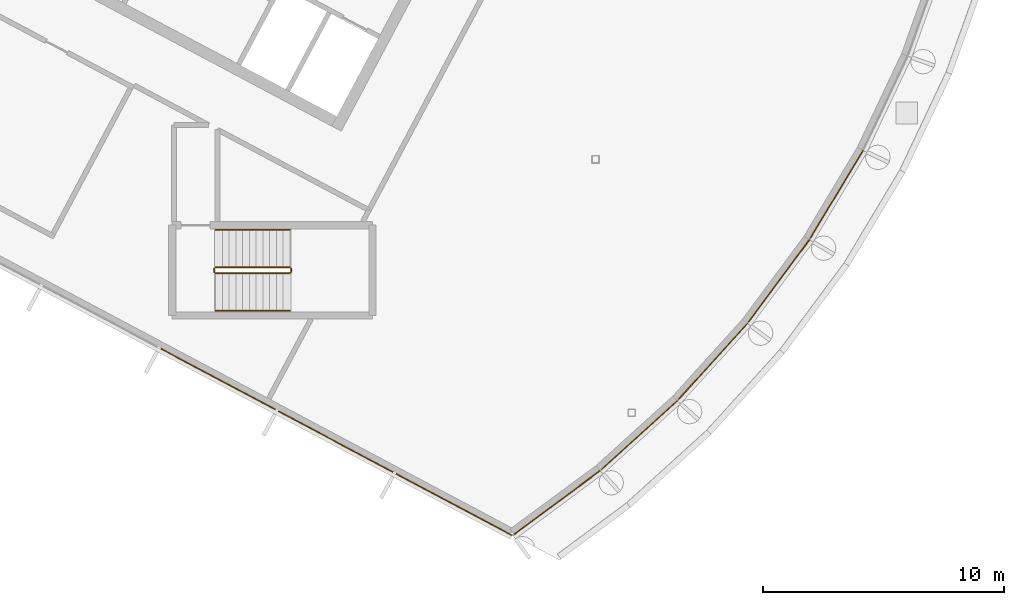
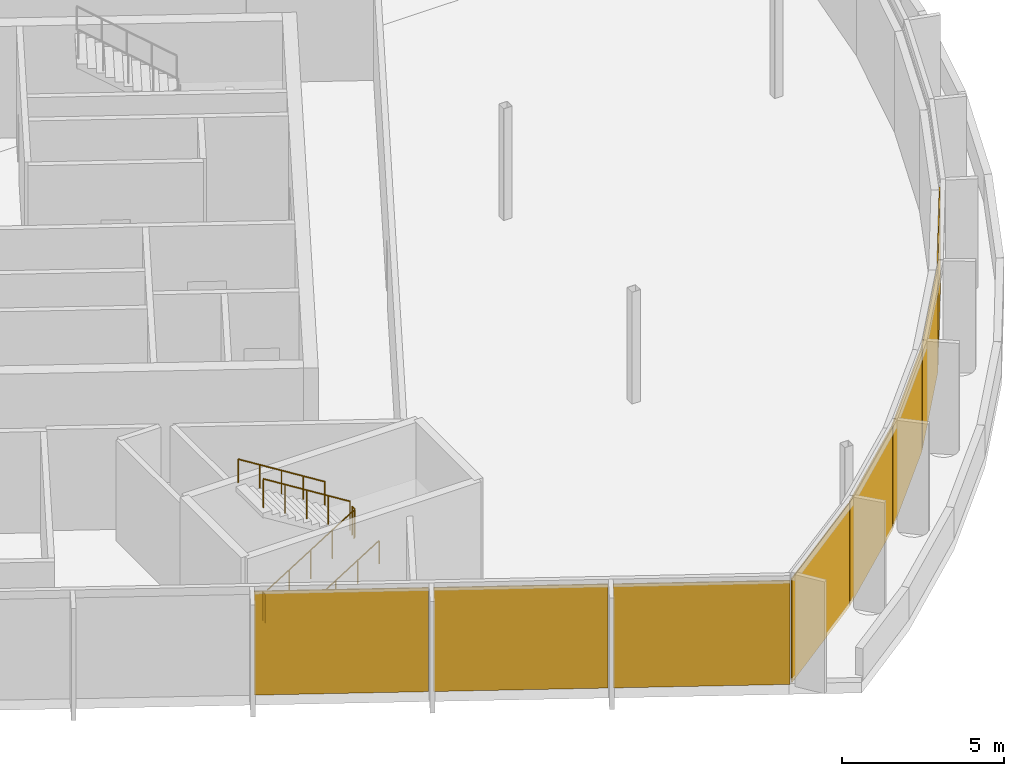
# One storey, part 12 of 15: 8 coverings, 6 railings, 6 elements without a shape of their own.
"""IFC4 building model written with IfcOpenShell, lengths in metres."""

import ifcopenshell
import ifcopenshell.guid

model = None  # the IFC model being written
_history = None  # IfcOwnerHistory: only IFC2X3 demands one
_inside = {}  # id of a spatial element -> (the spatial element, [elements in it])
_under = {}  # id of a project, library or spatial element -> (it, [spatial elements below it])
_declared = {}  # id of a project -> (the project, [libraries it declares])
_typed = {}  # id of a type object -> (the type object, [elements of that type])
_made_of = {}  # id of a material, layer set ... -> (it, [elements and type objects made of it])


def new_model(schema):
    """Start an empty IFC model of exactly this schema.

    Asked for "IFC4X3", IfcOpenShell would pick the latest addendum, in which some entities
    have other attributes; the version numbers below select the first issue.
    IFC2X3 requires an IfcOwnerHistory on every rooted entity: one is made here for all.
    """
    global model, _history
    if schema == "IFC4X3":
        model = ifcopenshell.file(schema_version=(4, 3, 0, 0))
    else:
        model = ifcopenshell.file(schema=schema)
    _inside.clear()
    _under.clear()
    _declared.clear()
    _typed.clear()
    _made_of.clear()
    _history = None
    if model.schema == "IFC2X3":
        org = make("IfcOrganization", Name="unknown")
        user = make(
            "IfcPersonAndOrganization",
            ThePerson=make("IfcPerson", FamilyName="unknown"),
            TheOrganization=org,
        )
        app = make(
            "IfcApplication",
            ApplicationDeveloper=org,
            Version="unknown",
            ApplicationFullName="unknown",
            ApplicationIdentifier="unknown",
        )
        _history = make(
            "IfcOwnerHistory",
            OwningUser=user,
            OwningApplication=app,
            ChangeAction="ADDED",
            CreationDate=0,
        )
    return model


def make(cls, **values):
    """One entity of the class cls with the attributes given. An attribute that is None is left unset."""
    return model.create_entity(
        cls, **{name: value for name, value in values.items() if value is not None}
    )


def rooted(cls, **values):
    """An entity with a GlobalId (a new one), such as an element, a storey or a relation."""
    return make(cls, GlobalId=ifcopenshell.guid.new(), OwnerHistory=_history, **values)


def si_unit(unit_type, name, prefix=None):
    """IfcSIUnit, for example si_unit("LENGTHUNIT", "METRE", prefix="MILLI")."""
    return make("IfcSIUnit", UnitType=unit_type, Prefix=prefix, Name=name)


def assignment(units):
    """IfcUnitAssignment: the units of a project."""
    return None if units is None else make("IfcUnitAssignment", Units=units)


def point(xyz):
    """IfcCartesianPoint."""
    return None if xyz is None else make("IfcCartesianPoint", Coordinates=xyz)


def direction(xyz):
    """IfcDirection."""
    return None if xyz is None else make("IfcDirection", DirectionRatios=xyz)


def frame(location, z_axis=None, x_axis=None):
    """IfcAxis2Placement3D, a coordinate frame: its origin and axes. An axis left out is left unset."""
    return make(
        "IfcAxis2Placement3D",
        Location=point(location),
        Axis=direction(z_axis),
        RefDirection=direction(x_axis),
    )


def frame_2d(location, x_axis=None):
    """IfcAxis2Placement2D, a coordinate frame in the plane: its origin and x axis."""
    return make(
        "IfcAxis2Placement2D", Location=point(location), RefDirection=direction(x_axis)
    )


def origin():
    """The frame at (0, 0, 0) with its axes left unset."""
    return frame((0.0, 0.0, 0.0))


def origin_2d():
    """The frame at (0, 0) in the plane with its x axis left unset."""
    return frame_2d((0.0, 0.0))


def place(relative_to, where):
    """IfcLocalPlacement: puts the frame where relative to a parent placement (None: the world)."""
    return make(
        "IfcLocalPlacement", PlacementRelTo=relative_to, RelativePlacement=where
    )


def context(
    kind, dimensions, precision=None, world=None, true_north=None, identifier=None
):
    """IfcGeometricRepresentationContext, for example the 3D "Model" context."""
    return make(
        "IfcGeometricRepresentationContext",
        ContextIdentifier=identifier,
        ContextType=kind,
        CoordinateSpaceDimension=dimensions,
        Precision=precision,
        WorldCoordinateSystem=world,
        TrueNorth=true_north,
    )


def subcontext(parent, identifier, kind, view, scale=None):
    """IfcGeometricRepresentationSubContext, for example "Body" below "Model"."""
    return make(
        "IfcGeometricRepresentationSubContext",
        ContextIdentifier=identifier,
        ContextType=kind,
        ParentContext=parent,
        TargetScale=scale,
        TargetView=view,
    )


def project(units=None, contexts=None):
    """IfcProject with its units and contexts."""
    return rooted(
        "IfcProject",
        Name="project",
        RepresentationContexts=contexts,
        UnitsInContext=assignment(units),
    )


def spatial(cls, under=None, at=None, **own):
    """A site, building, storey or space (cls), placed at a placement, below another one or the project."""
    s = rooted(cls, ObjectPlacement=at, **own)
    if under is not None:
        _under.setdefault(under.id(), (under, []))[1].append(s)
    return s


def polyline(points):
    """IfcPolyline through the points."""
    return make("IfcPolyline", Points=[point(p) for p in points])


def profile(cls, at=None, kind="AREA", **sizes):
    """A parametric profile (cls). Its sizes go by their IFC names, for example OverallWidth=200.0."""
    return make(cls, ProfileType=kind, Position=at, **sizes)


def rectangle(**sizes):
    """IfcRectangleProfileDef."""
    return profile("IfcRectangleProfileDef", **sizes)


def outline(outer, holes=None, kind="AREA"):
    """IfcArbitraryClosedProfileDef: a profile drawn as a closed curve; with holes, ...WithVoids."""
    if holes is None:
        return make("IfcArbitraryClosedProfileDef", ProfileType=kind, OuterCurve=outer)
    return make(
        "IfcArbitraryProfileDefWithVoids",
        ProfileType=kind,
        OuterCurve=outer,
        InnerCurves=holes,
    )


def extrude(swept, where, along, depth):
    """IfcExtrudedAreaSolid: the profile swept, set in the frame where, extruded along a direction by depth."""
    return make(
        "IfcExtrudedAreaSolid",
        SweptArea=swept,
        Position=where,
        ExtrudedDirection=direction(along),
        Depth=depth,
    )


def shape(context_of_items, identifier, shape_type, items):
    """IfcShapeRepresentation: the items that make up one representation, for example the "Body"."""
    return make(
        "IfcShapeRepresentation",
        ContextOfItems=context_of_items,
        RepresentationIdentifier=identifier,
        RepresentationType=shape_type,
        Items=items,
    )


def material(Name=None, Category=None):
    """IfcMaterial."""
    return make("IfcMaterial", Name=Name, Category=Category)


def layer(
    of_material, thickness, ventilated=None, Name=None, Category=None, Priority=None
):
    """IfcMaterialLayer: one layer of a wall or slab, of a material (None: an air gap)."""
    return make(
        "IfcMaterialLayer",
        Material=of_material,
        LayerThickness=thickness,
        IsVentilated=ventilated,
        Name=Name,
        Category=Category,
        Priority=Priority,
    )


def layer_set(layers, Name=None):
    """IfcMaterialLayerSet."""
    return make("IfcMaterialLayerSet", MaterialLayers=layers, LayerSetName=Name)


def made_of(thing, what):
    """Note that an element or type object is made of a material, layer set ...; save() writes the relation."""
    if what is not None:
        _made_of.setdefault(what.id(), (what, []))[1].append(thing)
    return thing


def type_object(cls, material=None, **own):
    """A type object (cls), such as IfcWallType, which elements share."""
    return made_of(rooted(cls, **own), material)


def element(
    cls,
    number,
    at=None,
    inside=None,
    cuts=None,
    type_object=None,
    material=None,
    context=None,
    identifier="Body",
    shape_type=None,
    held_by="IfcProductDefinitionShape",
    body=None,
    shapes=None,
    **own,
):
    """One element of the class cls, such as IfcWall. Its Tag is "e" and its number.

    at: its placement. inside: the storey or other place that contains it. cuts: it is an
    opening in that element (IfcRelVoidsElement). A single representation is given by context,
    identifier, shape_type and body (its items); several are given by shapes. held_by: the class
    of the entity that holds the representations. save() writes the other relations.
    """
    e = rooted(cls, Tag="e%d" % number, ObjectPlacement=at, **own)
    if body is not None:
        shapes = [shape(context, identifier, shape_type, body)]
    if shapes is not None:
        e.Representation = make(held_by, Representations=shapes)
    if inside is not None:
        _inside.setdefault(inside.id(), (inside, []))[1].append(e)
    if cuts is not None:
        rooted(
            "IfcRelVoidsElement", RelatingBuildingElement=cuts, RelatedOpeningElement=e
        )
    if type_object is not None:
        _typed.setdefault(type_object.id(), (type_object, []))[1].append(e)
    return made_of(e, material)


def aggregate(whole, parts):
    """IfcRelAggregates: a whole, such as a stair, and the parts it consists of."""
    return rooted("IfcRelAggregates", RelatingObject=whole, RelatedObjects=parts)


def save(model, path):
    """Write the relations noted so far, then the file.

    IfcRelAggregates (storeys below a building ...), IfcRelContainedInSpatialStructure (elements
    in a storey), IfcRelDefinesByType, IfcRelAssociatesMaterial and IfcRelDeclares: one each for
    every whole, place, type object, material and project.
    """
    for whole, parts in _under.values():
        aggregate(whole, parts)
    for where, things in _inside.values():
        rooted(
            "IfcRelContainedInSpatialStructure",
            RelatedElements=things,
            RelatingStructure=where,
        )
    for kind, things in _typed.values():
        rooted("IfcRelDefinesByType", RelatedObjects=things, RelatingType=kind)
    for what, things in _made_of.values():
        rooted("IfcRelAssociatesMaterial", RelatedObjects=things, RelatingMaterial=what)
    for by, libraries in _declared.values():
        rooted("IfcRelDeclares", RelatingContext=by, RelatedDefinitions=libraries)
    model.write(path)


model = new_model("IFC4")

# Units and contexts
model_context = context("Model", 3, precision=1e-05, world=origin(), true_north=direction((0.0, 1.0)))
body_context = subcontext(model_context, "Body", "Model", "MODEL_VIEW")
ifc_project = project(units=[si_unit("LENGTHUNIT", "METRE"), si_unit("AREAUNIT", "SQUARE_METRE"), si_unit("VOLUMEUNIT", "CUBIC_METRE"), si_unit("PLANEANGLEUNIT", "RADIAN"), si_unit("MASSUNIT", "GRAM", prefix="KILO")], contexts=[model_context])

# Site, building, storey
site_placement = place(None, origin())
site = spatial("IfcSite", under=ifc_project, at=site_placement, CompositionType="ELEMENT")
building_placement = place(site_placement, origin())
building = spatial("IfcBuilding", under=site, at=building_placement, Name="Cormorant Relay Tower", CompositionType="ELEMENT")
storey_placement = place(building_placement, frame((0.0, 0.0, 332.39990234375)))
storey = spatial("IfcBuildingStorey", under=building, at=storey_placement, Name="C2", CompositionType="ELEMENT", Elevation=332.39990234375)

# Curtain wall, coverings
ifc_material_1 = material(Name="Aluminium 6063-T6 anodised bronze", Category="aluminium")
ifc_layer_1 = layer(ifc_material_1, 0.199951171875)
ifc_layer_set_1 = layer_set([ifc_layer_1], Name="CW3 crown screen wall")
curtain_wall_type = type_object("IfcCurtainWallType", Name="CW3 crown screen wall", PredefinedType="NOTDEFINED", material=ifc_layer_set_1)
curtain_wall_1_placement = place(storey_placement, origin())
curtain_wall_1 = element("IfcCurtainWall", 1, at=curtain_wall_1_placement, inside=storey, type_object=curtain_wall_type, Name="CW3 curtain wall 1", PredefinedType="NOTDEFINED")
ifc_material_2 = material(Name="Perforated bronze anodised aluminium screen", Category="aluminium")
ifc_layer_2 = layer(ifc_material_2, 0.0400390625)
ifc_layer_set_2 = layer_set([ifc_layer_2], Name="CW3 perforated bronze screen panel 40")
covering_type = type_object("IfcCoveringType", Name="CW3 perforated bronze screen panel 40", PredefinedType="CLADDING", material=ifc_layer_set_2)
covering_1_placement = place(storey_placement, frame((-27.647705078125, -9.10595703125, 0.000244140625), z_axis=(0.0, 0.0, 1.0), x_axis=(0.882947592859, -0.469471562786, 0.0)))
covering_1 = element("IfcCovering", 2, at=covering_1_placement, type_object=covering_type, Name="CW3 panel X04", PredefinedType="CLADDING", context=body_context, shape_type="SweptSolid", body=[
    extrude(rectangle(XDim=5.375244140625, YDim=0.0400390625, at=origin_2d()), origin(), (0.0, 0.0, 1.0), 3.89990234375),
])
covering_2_placement = place(storey_placement, frame((-22.769287109375, -11.699951171875, 0.000244140625), z_axis=(0.0, 0.0, 1.0), x_axis=(0.882947592859, -0.469471562786, 0.0)))
covering_2 = element("IfcCovering", 3, at=covering_2_placement, type_object=covering_type, Name="CW3 panel X05", PredefinedType="CLADDING", context=body_context, shape_type="SweptSolid", body=[
    extrude(rectangle(XDim=5.375244140625, YDim=0.0400390625, at=origin_2d()), origin(), (0.0, 0.0, 1.0), 3.89990234375),
])
covering_3_placement = place(storey_placement, frame((-17.85791015625, -14.3115234375, 0.000244140625), z_axis=(0.0, 0.0, 1.0), x_axis=(0.882947592859, -0.469471562786, 0.0)))
covering_3 = element("IfcCovering", 4, at=covering_3_placement, type_object=covering_type, Name="CW3 panel X06", PredefinedType="CLADDING", context=body_context, shape_type="SweptSolid", body=[
    extrude(rectangle(XDim=5.4501953125, YDim=0.0400390625, at=origin_2d()), origin(), (0.0, 0.0, 1.0), 3.89990234375),
])
aggregate(curtain_wall_1, [covering_1, covering_2, covering_3])

# Curtain wall, covering
curtain_wall_2_placement = place(storey_placement, origin())
curtain_wall_2 = element("IfcCurtainWall", 5, at=curtain_wall_2_placement, inside=storey, type_object=curtain_wall_type, Name="CW3 curtain wall 2", PredefinedType="NOTDEFINED")
covering_4_placement = place(storey_placement, frame((-13.5888671875, -14.223388671875, 0.000244140625), z_axis=(0.0, 0.0, 1.0), x_axis=(0.803207531481, 0.595699304492, 0.0)))
covering_4 = element("IfcCovering", 6, at=covering_4_placement, type_object=covering_type, Name="CW3 panel X00", PredefinedType="CLADDING", context=body_context, shape_type="SweptSolid", body=[
    extrude(rectangle(XDim=4.435546875, YDim=0.0400390625, at=origin_2d()), origin(), (0.0, 0.0, 1.0), 3.89990234375),
])
aggregate(curtain_wall_2, [covering_4])

curtain_wall_3_placement = place(storey_placement, origin())
curtain_wall_3 = element("IfcCurtainWall", 7, at=curtain_wall_3_placement, inside=storey, type_object=curtain_wall_type, Name="CW3 curtain wall 3", PredefinedType="NOTDEFINED")
covering_5_placement = place(storey_placement, frame((-10.178466796875, -11.426025390625, 0.000244140625), z_axis=(0.0, 0.0, 1.0), x_axis=(0.740951125355, 0.671558954847, 0.0)))
covering_5 = element("IfcCovering", 8, at=covering_5_placement, type_object=covering_type, Name="CW3 panel X00", PredefinedType="CLADDING", context=body_context, shape_type="SweptSolid", body=[
    extrude(rectangle(XDim=4.242919921875, YDim=0.0400390625, at=origin_2d()), origin(), (0.0, 0.0, 1.0), 3.89990234375),
])
aggregate(curtain_wall_3, [covering_5])

curtain_wall_4_placement = place(storey_placement, origin())
curtain_wall_4 = element("IfcCurtainWall", 9, at=curtain_wall_4_placement, inside=storey, type_object=curtain_wall_type, Name="CW3 curtain wall 4", PredefinedType="NOTDEFINED")
covering_6_placement = place(storey_placement, frame((-7.130126953125, -8.372314453125, 0.000244140625), z_axis=(0.0, 0.0, 1.0), x_axis=(0.671558954847, 0.740951125355, 0.0)))
covering_6 = element("IfcCovering", 10, at=covering_6_placement, type_object=covering_type, Name="CW3 panel X00", PredefinedType="CLADDING", context=body_context, shape_type="SweptSolid", body=[
    extrude(rectangle(XDim=4.242919921875, YDim=0.0400390625, at=origin_2d()), origin(), (0.0, 0.0, 1.0), 3.89990234375),
])
aggregate(curtain_wall_4, [covering_6])

curtain_wall_5_placement = place(storey_placement, origin())
curtain_wall_5 = element("IfcCurtainWall", 11, at=curtain_wall_5_placement, inside=storey, type_object=curtain_wall_type, Name="CW3 curtain wall 5", PredefinedType="NOTDEFINED")
covering_7_placement = place(storey_placement, frame((-4.395751953125, -5.034912109375, 0.000244140625), z_axis=(0.0, 0.0, 1.0), x_axis=(0.595699304492, 0.803207531481, 0.0)))
covering_7 = element("IfcCovering", 12, at=covering_7_placement, type_object=covering_type, Name="CW3 panel X00", PredefinedType="CLADDING", context=body_context, shape_type="SweptSolid", body=[
    extrude(rectangle(XDim=4.242919921875, YDim=0.0400390625, at=origin_2d()), origin(), (0.0, 0.0, 1.0), 3.89990234375),
])
aggregate(curtain_wall_5, [covering_7])

curtain_wall_6_placement = place(storey_placement, origin())
curtain_wall_6 = element("IfcCurtainWall", 13, at=curtain_wall_6_placement, inside=storey, type_object=curtain_wall_type, Name="CW3 curtain wall 6", PredefinedType="NOTDEFINED")
covering_8_placement = place(storey_placement, frame((-2.001708984375, -1.4453125, 0.000244140625), z_axis=(0.0, 0.0, 1.0), x_axis=(0.514102744193, 0.85772861, 0.0)))
covering_8 = element("IfcCovering", 14, at=covering_8_placement, type_object=covering_type, Name="CW3 panel X00", PredefinedType="CLADDING", context=body_context, shape_type="SweptSolid", body=[
    extrude(rectangle(XDim=4.242919921875, YDim=0.0400390625, at=origin_2d()), origin(), (0.0, 0.0, 1.0), 3.89990234375),
])
aggregate(curtain_wall_6, [covering_8])

# Railings
ifc_material_3 = material(Name="Steel ASTM A572 Grade 50 (Fy 345 MPa)", Category="steel")
railing_type_1 = type_object("IfcRailingType", Name="Stair guard 1100", PredefinedType="GUARDRAIL", material=ifc_material_3)
railing_1_placement = place(storey_placement, frame((-27.75, -4.72509765625, 0.175048828125)))
element("IfcRailing", 15, at=railing_1_placement, inside=storey, type_object=railing_type_1, Name="C2 RC1 stair guard 1", PredefinedType="GUARDRAIL", context=body_context, shape_type="SweptSolid", body=[
    extrude(outline(polyline([(0.022216796875, 0.00927734375), (0.00927734375, 0.022216796875), (-0.00927734375, 0.022216796875), (-0.022216796875, 0.00927734375), (-0.022216796875, -0.00927734375), (-0.00927734375, -0.022216796875), (0.00927734375, -0.022216796875), (0.022216796875, -0.00927734375), (0.022216796875, 0.00927734375)])), frame((0.0, 0.0, 1.076171875), z_axis=(0.847998304005, 0.0, 0.529998940003), x_axis=(0.0, 1.0, 0.0)), (0.0, 0.0, 1.0), 3.632080078125),
    extrude(outline(polyline([(0.019287109375, 0.008056640625), (0.008056640625, 0.019287109375), (-0.008056640625, 0.019287109375), (-0.019287109375, 0.008056640625), (-0.019287109375, -0.008056640625), (-0.008056640625, -0.019287109375), (0.008056640625, -0.019287109375), (0.019287109375, -0.008056640625), (0.019287109375, 0.008056640625)])), origin(), (0.0, 0.0, 1.0), 1.052001953125),
    extrude(outline(polyline([(0.019287109375, 0.008056640625), (0.008056640625, 0.019287109375), (-0.008056640625, 0.019287109375), (-0.019287109375, 0.008056640625), (-0.019287109375, -0.008056640625), (-0.008056640625, -0.019287109375), (0.008056640625, -0.019287109375), (0.019287109375, -0.008056640625), (0.019287109375, 0.008056640625)])), frame((0.77001953125, 0.0, 0.481201171875)), (0.0, 0.0, 1.0), 1.052001953125),
    extrude(outline(polyline([(0.019287109375, 0.008056640625), (0.008056640625, 0.019287109375), (-0.008056640625, 0.019287109375), (-0.019287109375, 0.008056640625), (-0.019287109375, -0.008056640625), (-0.008056640625, -0.019287109375), (0.008056640625, -0.019287109375), (0.019287109375, -0.008056640625), (0.019287109375, 0.008056640625)])), frame((1.5400390625, 0.0, 0.96240234375)), (0.0, 0.0, 1.0), 1.052001953125),
    extrude(outline(polyline([(0.019287109375, 0.008056640625), (0.008056640625, 0.019287109375), (-0.008056640625, 0.019287109375), (-0.019287109375, 0.008056640625), (-0.019287109375, -0.008056640625), (-0.008056640625, -0.019287109375), (0.008056640625, -0.019287109375), (0.019287109375, -0.008056640625), (0.019287109375, 0.008056640625)])), frame((2.31005859375, 0.0, 1.44384765625)), (0.0, 0.0, 1.0), 1.052001953125),
    extrude(outline(polyline([(0.019287109375, 0.008056640625), (0.008056640625, 0.019287109375), (-0.008056640625, 0.019287109375), (-0.019287109375, 0.008056640625), (-0.019287109375, -0.008056640625), (-0.008056640625, -0.019287109375), (0.008056640625, -0.019287109375), (0.019287109375, -0.008056640625), (0.019287109375, 0.008056640625)])), frame((3.080078125, 0.0, 1.925048828125)), (0.0, 0.0, 1.0), 1.052001953125),
])
railing_2_placement = place(storey_placement, frame((-24.6201171875, -4.675048828125, 2.10009765625)))
element("IfcRailing", 16, at=railing_2_placement, inside=storey, type_object=railing_type_1, Name="C2 RC1 stair guard 2", PredefinedType="GUARDRAIL", context=body_context, shape_type="SweptSolid", body=[
    extrude(outline(polyline([(0.022216796875, 0.00927734375), (0.00927734375, 0.022216796875), (-0.00927734375, 0.022216796875), (-0.022216796875, 0.00927734375), (-0.022216796875, -0.00927734375), (-0.00927734375, -0.022216796875), (0.00927734375, -0.022216796875), (0.022216796875, -0.00927734375), (0.022216796875, 0.00927734375)])), frame((0.0, 0.0, 1.076171875), z_axis=(0.0, 1.0, 0.0), x_axis=(-1.0, 0.0, 0.0)), (0.0, 0.0, 1.0), 0.150146484375),
    extrude(outline(polyline([(0.019287109375, 0.008056640625), (0.008056640625, 0.019287109375), (-0.008056640625, 0.019287109375), (-0.019287109375, 0.008056640625), (-0.019287109375, -0.008056640625), (-0.008056640625, -0.019287109375), (0.008056640625, -0.019287109375), (0.019287109375, -0.008056640625), (0.019287109375, 0.008056640625)])), origin(), (0.0, 0.0, 1.0), 1.052001953125),
    extrude(outline(polyline([(0.019287109375, 0.008056640625), (0.008056640625, 0.019287109375), (-0.008056640625, 0.019287109375), (-0.019287109375, 0.008056640625), (-0.019287109375, -0.008056640625), (-0.008056640625, -0.019287109375), (0.008056640625, -0.019287109375), (0.019287109375, -0.008056640625), (0.019287109375, 0.008056640625)])), frame((0.0, 0.150146484375, 0.0)), (0.0, 0.0, 1.0), 1.052001953125),
])
railing_3_placement = place(storey_placement, frame((-24.669921875, -4.47509765625, 2.275146484375)))
element("IfcRailing", 17, at=railing_3_placement, inside=storey, type_object=railing_type_1, Name="C2 RC1 stair guard 3", PredefinedType="GUARDRAIL", context=body_context, shape_type="SweptSolid", body=[
    extrude(outline(polyline([(0.022216796875, 0.00927734375), (0.00927734375, 0.022216796875), (-0.00927734375, 0.022216796875), (-0.022216796875, 0.00927734375), (-0.022216796875, -0.00927734375), (-0.00927734375, -0.022216796875), (0.00927734375, -0.022216796875), (0.022216796875, -0.00927734375), (0.022216796875, 0.00927734375)])), frame((0.0, 0.0, 1.076171875), z_axis=(-0.847998304005, 0.0, 0.529998940003), x_axis=(0.0, -1.0, 0.0)), (0.0, 0.0, 1.0), 3.632080078125),
    extrude(outline(polyline([(0.019287109375, 0.008056640625), (0.008056640625, 0.019287109375), (-0.008056640625, 0.019287109375), (-0.019287109375, 0.008056640625), (-0.019287109375, -0.008056640625), (-0.008056640625, -0.019287109375), (0.008056640625, -0.019287109375), (0.019287109375, -0.008056640625), (0.019287109375, 0.008056640625)])), origin(), (0.0, 0.0, 1.0), 1.052001953125),
    extrude(outline(polyline([(0.019287109375, 0.008056640625), (0.008056640625, 0.019287109375), (-0.008056640625, 0.019287109375), (-0.019287109375, 0.008056640625), (-0.019287109375, -0.008056640625), (-0.008056640625, -0.019287109375), (0.008056640625, -0.019287109375), (0.019287109375, -0.008056640625), (0.019287109375, 0.008056640625)])), frame((-0.77001953125, 0.0, 0.481201171875)), (0.0, 0.0, 1.0), 1.052001953125),
    extrude(outline(polyline([(0.019287109375, 0.008056640625), (0.008056640625, 0.019287109375), (-0.008056640625, 0.019287109375), (-0.019287109375, 0.008056640625), (-0.019287109375, -0.008056640625), (-0.008056640625, -0.019287109375), (0.008056640625, -0.019287109375), (0.019287109375, -0.008056640625), (0.019287109375, 0.008056640625)])), frame((-1.5400390625, 0.0, 0.96240234375)), (0.0, 0.0, 1.0), 1.052001953125),
    extrude(outline(polyline([(0.019287109375, 0.008056640625), (0.008056640625, 0.019287109375), (-0.008056640625, 0.019287109375), (-0.019287109375, 0.008056640625), (-0.019287109375, -0.008056640625), (-0.008056640625, -0.019287109375), (0.008056640625, -0.019287109375), (0.019287109375, -0.008056640625), (0.019287109375, 0.008056640625)])), frame((-2.31005859375, 0.0, 1.44384765625)), (0.0, 0.0, 1.0), 1.052001953125),
    extrude(outline(polyline([(0.019287109375, 0.008056640625), (0.008056640625, 0.019287109375), (-0.008056640625, 0.019287109375), (-0.019287109375, 0.008056640625), (-0.019287109375, -0.008056640625), (-0.008056640625, -0.019287109375), (0.008056640625, -0.019287109375), (0.019287109375, -0.008056640625), (0.019287109375, 0.008056640625)])), frame((-3.080078125, 0.0, 1.925048828125)), (0.0, 0.0, 1.0), 1.052001953125),
])
railing_4_placement = place(storey_placement, frame((-27.800048828125, -4.675048828125, 0.0)))
element("IfcRailing", 18, at=railing_4_placement, inside=storey, type_object=railing_type_1, Name="C2 RC1 stair guard 4", PredefinedType="GUARDRAIL", context=body_context, shape_type="SweptSolid", body=[
    extrude(outline(polyline([(0.022216796875, 0.00927734375), (0.00927734375, 0.022216796875), (-0.00927734375, 0.022216796875), (-0.022216796875, 0.00927734375), (-0.022216796875, -0.00927734375), (-0.00927734375, -0.022216796875), (0.00927734375, -0.022216796875), (0.022216796875, -0.00927734375), (0.022216796875, 0.00927734375)])), frame((0.0, 0.0, 1.076171875), z_axis=(0.0, 1.0, 0.0), x_axis=(-1.0, 0.0, 0.0)), (0.0, 0.0, 1.0), 0.150146484375),
    extrude(outline(polyline([(0.019287109375, 0.008056640625), (0.008056640625, 0.019287109375), (-0.008056640625, 0.019287109375), (-0.019287109375, 0.008056640625), (-0.019287109375, -0.008056640625), (-0.008056640625, -0.019287109375), (0.008056640625, -0.019287109375), (0.019287109375, -0.008056640625), (0.019287109375, 0.008056640625)])), origin(), (0.0, 0.0, 1.0), 1.052001953125),
    extrude(outline(polyline([(0.019287109375, 0.008056640625), (0.008056640625, 0.019287109375), (-0.008056640625, 0.019287109375), (-0.019287109375, 0.008056640625), (-0.019287109375, -0.008056640625), (-0.008056640625, -0.019287109375), (0.008056640625, -0.019287109375), (0.019287109375, -0.008056640625), (0.019287109375, 0.008056640625)])), frame((0.0, 0.150146484375, 0.0)), (0.0, 0.0, 1.0), 1.052001953125),
])
ifc_material_4 = material(Name="Steel ASTM A572 Grade 50 (Fy 345 MPa)", Category="steel")
railing_type_2 = type_object("IfcRailingType", Name="Stair handrail 900", PredefinedType="HANDRAIL", material=ifc_material_4)
railing_5_placement = place(storey_placement, frame((-27.75, -6.27490234375, 0.175048828125)))
element("IfcRailing", 19, at=railing_5_placement, inside=storey, type_object=railing_type_2, Name="C2 RC1 stair handrail 1", PredefinedType="HANDRAIL", context=body_context, shape_type="SweptSolid", body=[
    extrude(outline(polyline([(0.022216796875, 0.00927734375), (0.00927734375, 0.022216796875), (-0.00927734375, 0.022216796875), (-0.022216796875, 0.00927734375), (-0.022216796875, -0.00927734375), (-0.00927734375, -0.022216796875), (0.00927734375, -0.022216796875), (0.022216796875, -0.00927734375), (0.022216796875, 0.00927734375)])), frame((0.0, 0.0, 0.8759765625), z_axis=(0.847998304005, 0.0, 0.529998940003), x_axis=(0.0, 1.0, 0.0)), (0.0, 0.0, 1.0), 3.632080078125),
    extrude(outline(polyline([(0.019287109375, 0.008056640625), (0.008056640625, 0.019287109375), (-0.008056640625, 0.019287109375), (-0.019287109375, 0.008056640625), (-0.019287109375, -0.008056640625), (-0.008056640625, -0.019287109375), (0.008056640625, -0.019287109375), (0.019287109375, -0.008056640625), (0.019287109375, 0.008056640625)])), origin(), (0.0, 0.0, 1.0), 0.851806640625),
    extrude(outline(polyline([(0.019287109375, 0.008056640625), (0.008056640625, 0.019287109375), (-0.008056640625, 0.019287109375), (-0.019287109375, 0.008056640625), (-0.019287109375, -0.008056640625), (-0.008056640625, -0.019287109375), (0.008056640625, -0.019287109375), (0.019287109375, -0.008056640625), (0.019287109375, 0.008056640625)])), frame((0.77001953125, 0.0, 0.481201171875)), (0.0, 0.0, 1.0), 0.851806640625),
    extrude(outline(polyline([(0.019287109375, 0.008056640625), (0.008056640625, 0.019287109375), (-0.008056640625, 0.019287109375), (-0.019287109375, 0.008056640625), (-0.019287109375, -0.008056640625), (-0.008056640625, -0.019287109375), (0.008056640625, -0.019287109375), (0.019287109375, -0.008056640625), (0.019287109375, 0.008056640625)])), frame((1.5400390625, 0.0, 0.96240234375)), (0.0, 0.0, 1.0), 0.851806640625),
    extrude(outline(polyline([(0.019287109375, 0.008056640625), (0.008056640625, 0.019287109375), (-0.008056640625, 0.019287109375), (-0.019287109375, 0.008056640625), (-0.019287109375, -0.008056640625), (-0.008056640625, -0.019287109375), (0.008056640625, -0.019287109375), (0.019287109375, -0.008056640625), (0.019287109375, 0.008056640625)])), frame((2.31005859375, 0.0, 1.44384765625)), (0.0, 0.0, 1.0), 0.851806640625),
    extrude(outline(polyline([(0.019287109375, 0.008056640625), (0.008056640625, 0.019287109375), (-0.008056640625, 0.019287109375), (-0.019287109375, 0.008056640625), (-0.019287109375, -0.008056640625), (-0.008056640625, -0.019287109375), (0.008056640625, -0.019287109375), (0.019287109375, -0.008056640625), (0.019287109375, 0.008056640625)])), frame((3.080078125, 0.0, 1.925048828125)), (0.0, 0.0, 1.0), 0.851806640625),
])
railing_6_placement = place(storey_placement, frame((-24.669921875, -2.925048828125, 2.275146484375)))
element("IfcRailing", 20, at=railing_6_placement, inside=storey, type_object=railing_type_2, Name="C2 RC1 stair handrail 2", PredefinedType="HANDRAIL", context=body_context, shape_type="SweptSolid", body=[
    extrude(outline(polyline([(0.022216796875, 0.00927734375), (0.00927734375, 0.022216796875), (-0.00927734375, 0.022216796875), (-0.022216796875, 0.00927734375), (-0.022216796875, -0.00927734375), (-0.00927734375, -0.022216796875), (0.00927734375, -0.022216796875), (0.022216796875, -0.00927734375), (0.022216796875, 0.00927734375)])), frame((0.0, 0.0, 0.8759765625), z_axis=(-0.847998304005, 0.0, 0.529998940003), x_axis=(0.0, -1.0, 0.0)), (0.0, 0.0, 1.0), 3.632080078125),
    extrude(outline(polyline([(0.019287109375, 0.008056640625), (0.008056640625, 0.019287109375), (-0.008056640625, 0.019287109375), (-0.019287109375, 0.008056640625), (-0.019287109375, -0.008056640625), (-0.008056640625, -0.019287109375), (0.008056640625, -0.019287109375), (0.019287109375, -0.008056640625), (0.019287109375, 0.008056640625)])), origin(), (0.0, 0.0, 1.0), 0.851806640625),
    extrude(outline(polyline([(0.019287109375, 0.008056640625), (0.008056640625, 0.019287109375), (-0.008056640625, 0.019287109375), (-0.019287109375, 0.008056640625), (-0.019287109375, -0.008056640625), (-0.008056640625, -0.019287109375), (0.008056640625, -0.019287109375), (0.019287109375, -0.008056640625), (0.019287109375, 0.008056640625)])), frame((-0.77001953125, 0.0, 0.481201171875)), (0.0, 0.0, 1.0), 0.851806640625),
    extrude(outline(polyline([(0.019287109375, 0.008056640625), (0.008056640625, 0.019287109375), (-0.008056640625, 0.019287109375), (-0.019287109375, 0.008056640625), (-0.019287109375, -0.008056640625), (-0.008056640625, -0.019287109375), (0.008056640625, -0.019287109375), (0.019287109375, -0.008056640625), (0.019287109375, 0.008056640625)])), frame((-1.5400390625, 0.0, 0.96240234375)), (0.0, 0.0, 1.0), 0.851806640625),
    extrude(outline(polyline([(0.019287109375, 0.008056640625), (0.008056640625, 0.019287109375), (-0.008056640625, 0.019287109375), (-0.019287109375, 0.008056640625), (-0.019287109375, -0.008056640625), (-0.008056640625, -0.019287109375), (0.008056640625, -0.019287109375), (0.019287109375, -0.008056640625), (0.019287109375, 0.008056640625)])), frame((-2.31005859375, 0.0, 1.44384765625)), (0.0, 0.0, 1.0), 0.851806640625),
    extrude(outline(polyline([(0.019287109375, 0.008056640625), (0.008056640625, 0.019287109375), (-0.008056640625, 0.019287109375), (-0.019287109375, 0.008056640625), (-0.019287109375, -0.008056640625), (-0.008056640625, -0.019287109375), (0.008056640625, -0.019287109375), (0.019287109375, -0.008056640625), (0.019287109375, 0.008056640625)])), frame((-3.080078125, 0.0, 1.925048828125)), (0.0, 0.0, 1.0), 0.851806640625),
])

save(model, "model.ifc")
